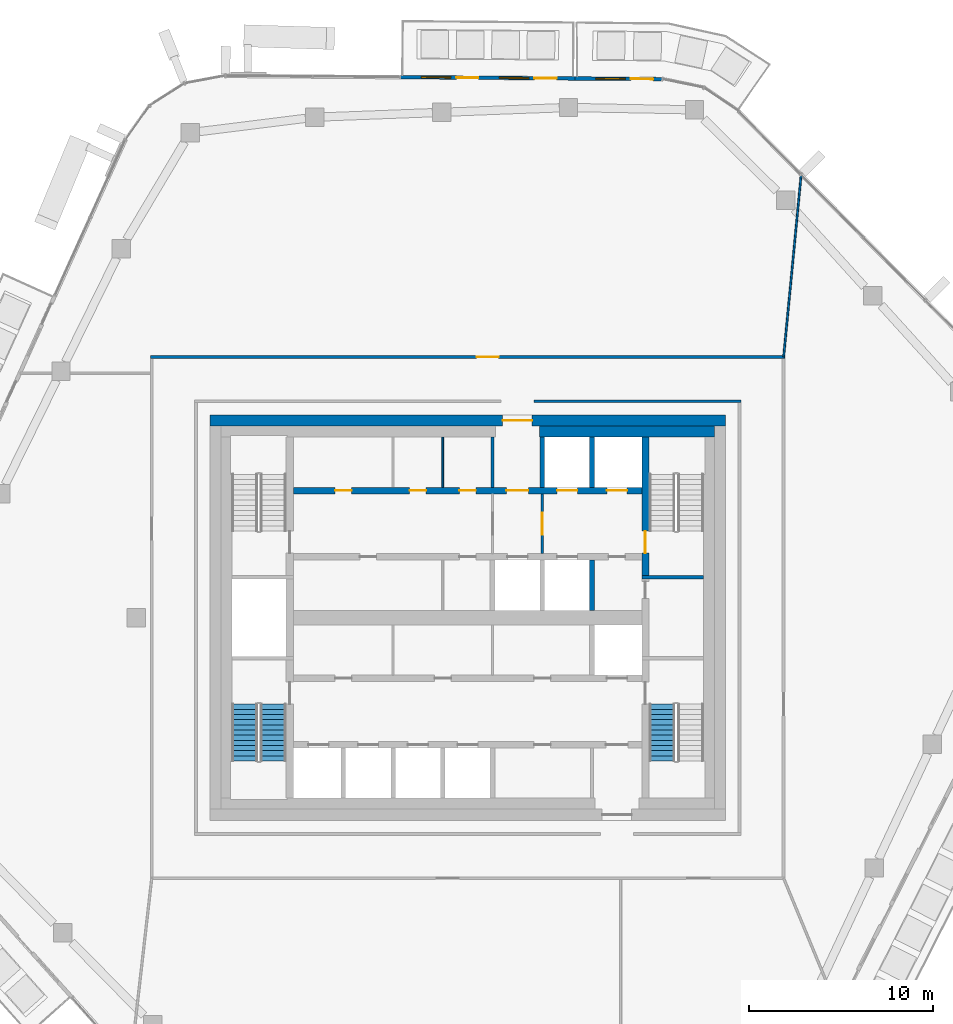
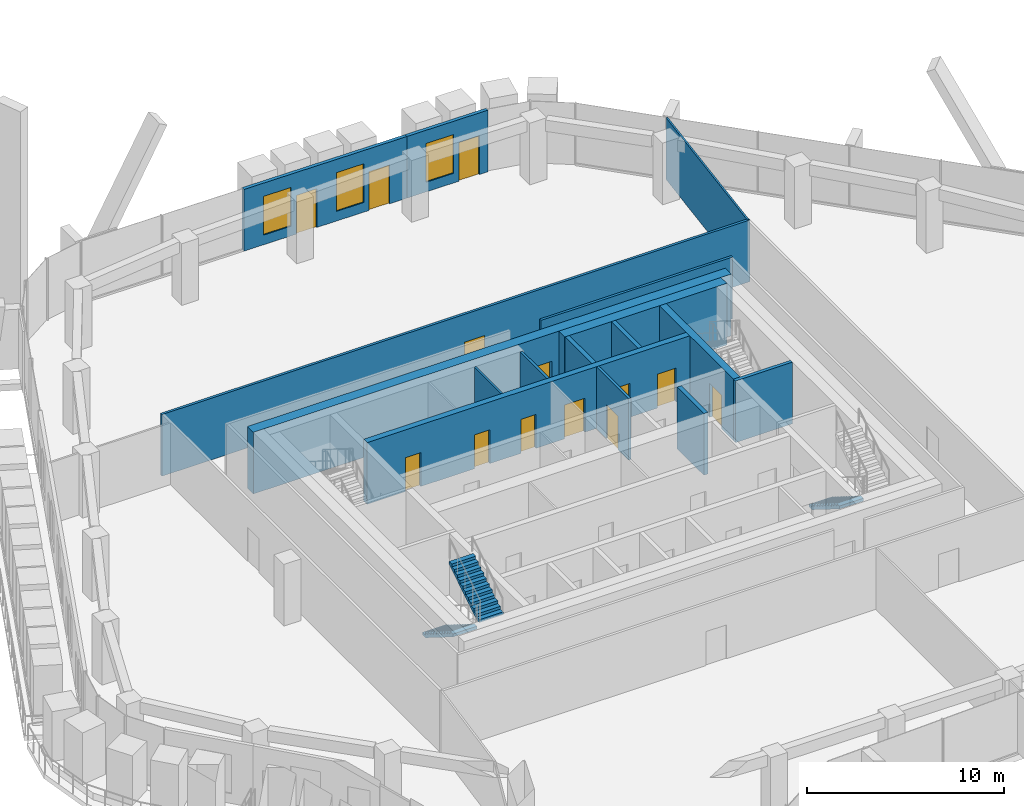
# One storey, part 15 of 23: 16 walls, 13 doors, 3 stair flights, 3 windows, 16 openings, 2 elements without a shape of their own.
"""IFC4 building model written with IfcOpenShell, lengths in metres."""

from ifc_helpers import new_model, si_unit, direction, frame, frame_2d, origin, place, context, subcontext, project, spatial, polyline, rectangle, outline, extrude, material, layer, layer_set, type_object, element, fill, aggregate, save


model = new_model("IFC4")

# Units and contexts
model_context = context("Model", 3, precision=1e-05, world=origin(), true_north=direction((0.0, 1.0)))
body_context = subcontext(model_context, "Body", "Model", "MODEL_VIEW")
ifc_project = project(units=[si_unit("LENGTHUNIT", "METRE"), si_unit("AREAUNIT", "SQUARE_METRE"), si_unit("VOLUMEUNIT", "CUBIC_METRE"), si_unit("PLANEANGLEUNIT", "RADIAN"), si_unit("MASSUNIT", "GRAM", prefix="KILO")], contexts=[model_context])

# Site, building, storey
site_placement = place(None, origin())
site = spatial("IfcSite", under=ifc_project, at=site_placement, CompositionType="ELEMENT")
building_placement = place(site_placement, origin())
building = spatial("IfcBuilding", under=site, at=building_placement, Name="Dongbaek Canopy Tower", CompositionType="ELEMENT")
storey_placement = place(building_placement, frame((0.0, 0.0, 319.39990234375)))
storey = spatial("IfcBuildingStorey", under=building, at=storey_placement, Name="L68", CompositionType="ELEMENT", Elevation=319.39990234375)

# Wall, openings, doors
ifc_material_1 = material(Name="Concrete C60/75", Category="concrete")
ifc_layer_1 = layer(ifc_material_1, 0.35009765625)
ifc_layer_set_1 = layer_set([ifc_layer_1], Name="Core lobby wall 350 Concrete C60/75")
wall_type_1 = type_object("IfcWallType", Name="Core lobby wall 350 Concrete C60/75", PredefinedType="SHEAR", material=ifc_layer_set_1)
wall_1_placement = place(storey_placement, frame((-9.449951171875, 6.89990234375, 0.0), z_axis=(0.0, 0.0, 1.0), x_axis=(1.0, 0.0, 0.0)))
wall_1 = element("IfcWall", 1, at=wall_1_placement, inside=storey, type_object=wall_type_1, Name="Core wall", PredefinedType="SHEAR", context=body_context, shape_type="SweptSolid", body=[
    extrude(rectangle(XDim=18.89990234375, YDim=0.35009765625, at=frame_2d((9.449951171875, 0.0))), origin(), (0.0, 0.0, 1.0), 3.820068359375),
])
opening_1_placement = place(wall_1_placement, frame((11.550048828125, 0.0, 0.0)))
opening_1 = element("IfcOpeningElement", 2, at=opening_1_placement, cuts=wall_1, Name="Opening L68-D008", PredefinedType="OPENING", context=body_context, shape_type="SweptSolid", body=[
    extrude(rectangle(XDim=1.199951171875, YDim=2.10009765625, at=frame_2d((0.60009765625, 1.050048828125))), frame((0.0, 0.18505859375, 0.0), z_axis=(0.0, -1.0, 0.0), x_axis=(1.0, 0.0, 0.0)), (0.0, 0.0, 1.0), 0.3701171875),
])
opening_2_placement = place(wall_1_placement, frame((14.300048828125, 0.0, 0.0)))
opening_2 = element("IfcOpeningElement", 3, at=opening_2_placement, cuts=wall_1, Name="Opening L68-D009", PredefinedType="OPENING", context=body_context, shape_type="SweptSolid", body=[
    extrude(rectangle(XDim=1.10009765625, YDim=2.10009765625, at=frame_2d((0.550048828125, 1.050048828125))), frame((0.0, 0.18505859375, 0.0), z_axis=(0.0, -1.0, 0.0), x_axis=(1.0, 0.0, 0.0)), (0.0, 0.0, 1.0), 0.3701171875),
])
opening_3_placement = place(wall_1_placement, frame((17.0, 0.0, 0.0)))
opening_3 = element("IfcOpeningElement", 4, at=opening_3_placement, cuts=wall_1, Name="Opening L68-D010", PredefinedType="OPENING", context=body_context, shape_type="SweptSolid", body=[
    extrude(rectangle(XDim=1.10009765625, YDim=2.10009765625, at=frame_2d((0.550048828125, 1.050048828125))), frame((0.0, 0.18505859375, 0.0), z_axis=(0.0, -1.0, 0.0), x_axis=(1.0, 0.0, 0.0)), (0.0, 0.0, 1.0), 0.3701171875),
])
opening_4_placement = place(wall_1_placement, frame((2.25, 0.0, 0.0)))
opening_4 = element("IfcOpeningElement", 5, at=opening_4_placement, cuts=wall_1, Name="Opening L68-D021", PredefinedType="OPENING", context=body_context, shape_type="SweptSolid", body=[
    extrude(rectangle(XDim=0.89990234375, YDim=2.10009765625, at=frame_2d((0.449951171875, 1.050048828125))), frame((0.0, 0.18505859375, 0.0), z_axis=(0.0, -1.0, 0.0), x_axis=(1.0, 0.0, 0.0)), (0.0, 0.0, 1.0), 0.3701171875),
])
opening_5_placement = place(wall_1_placement, frame((6.300048828125, 0.0, 0.0)))
opening_5 = element("IfcOpeningElement", 6, at=opening_5_placement, cuts=wall_1, Name="Opening L68-D022", PredefinedType="OPENING", context=body_context, shape_type="SweptSolid", body=[
    extrude(rectangle(XDim=0.89990234375, YDim=2.10009765625, at=frame_2d((0.449951171875, 1.050048828125))), frame((0.0, 0.18505859375, 0.0), z_axis=(0.0, -1.0, 0.0), x_axis=(1.0, 0.0, 0.0)), (0.0, 0.0, 1.0), 0.3701171875),
])
opening_6_placement = place(wall_1_placement, frame((9.0, 0.0, 0.0)))
opening_6 = element("IfcOpeningElement", 7, at=opening_6_placement, cuts=wall_1, Name="Opening L68-D023", PredefinedType="OPENING", context=body_context, shape_type="SweptSolid", body=[
    extrude(rectangle(XDim=0.89990234375, YDim=2.10009765625, at=frame_2d((0.449951171875, 1.050048828125))), frame((0.0, 0.18505859375, 0.0), z_axis=(0.0, -1.0, 0.0), x_axis=(1.0, 0.0, 0.0)), (0.0, 0.0, 1.0), 0.3701171875),
])
ifc_material_2 = material(Name="Steel", Category="steel")
door_type_1 = type_object("IfcDoorType", Name="Core room door 900 x 2100", OperationType="SINGLE_SWING_LEFT", PredefinedType="DOOR", material=ifc_material_2)
door_1_placement = place(opening_4_placement, origin())
door_1 = element("IfcDoor", 8, at=door_1_placement, inside=storey, type_object=door_type_1, Name="Door L68-D021", OperationType="SINGLE_SWING_RIGHT", OverallHeight=2.10009765625, OverallWidth=0.89990234375, PredefinedType="DOOR", context=body_context, shape_type="SweptSolid", body=[
    extrude(rectangle(XDim=0.89990234375, YDim=2.10009765625, at=frame_2d((0.449951171875, 1.050048828125))), frame((0.0, 0.02490234375, 0.0), z_axis=(0.0, -1.0, 0.0), x_axis=(1.0, 0.0, 0.0)), (0.0, 0.0, 1.0), 0.050048828125),
])
fill(opening_4, door_1)
door_2_placement = place(opening_5_placement, origin())
door_2 = element("IfcDoor", 9, at=door_2_placement, inside=storey, type_object=door_type_1, Name="Door L68-D022", OperationType="SINGLE_SWING_LEFT", OverallHeight=2.10009765625, OverallWidth=0.89990234375, PredefinedType="DOOR", context=body_context, shape_type="SweptSolid", body=[
    extrude(rectangle(XDim=0.89990234375, YDim=2.10009765625, at=frame_2d((0.449951171875, 1.050048828125))), frame((0.0, 0.02490234375, 0.0), z_axis=(0.0, -1.0, 0.0), x_axis=(1.0, 0.0, 0.0)), (0.0, 0.0, 1.0), 0.050048828125),
])
fill(opening_5, door_2)
door_3_placement = place(opening_6_placement, origin())
door_3 = element("IfcDoor", 10, at=door_3_placement, inside=storey, type_object=door_type_1, Name="Door L68-D023", OperationType="SINGLE_SWING_RIGHT", OverallHeight=2.10009765625, OverallWidth=0.89990234375, PredefinedType="DOOR", context=body_context, shape_type="SweptSolid", body=[
    extrude(rectangle(XDim=0.89990234375, YDim=2.10009765625, at=frame_2d((0.449951171875, 1.050048828125))), frame((0.0, 0.02490234375, 0.0), z_axis=(0.0, -1.0, 0.0), x_axis=(1.0, 0.0, 0.0)), (0.0, 0.0, 1.0), 0.050048828125),
])
fill(opening_6, door_3)
ifc_material_3 = material(Name="Steel", Category="steel")
door_type_2 = type_object("IfcDoorType", Name="Fire lobby door 1200 x 2100", OperationType="SINGLE_SWING_LEFT", PredefinedType="DOOR", material=ifc_material_3)
door_4_placement = place(opening_1_placement, origin())
door_4 = element("IfcDoor", 11, at=door_4_placement, inside=storey, type_object=door_type_2, Name="Door L68-D008", OperationType="SINGLE_SWING_LEFT", OverallHeight=2.10009765625, OverallWidth=1.199951171875, PredefinedType="DOOR", context=body_context, shape_type="SweptSolid", body=[
    extrude(rectangle(XDim=1.199951171875, YDim=2.10009765625, at=frame_2d((0.60009765625, 1.050048828125))), frame((0.0, 0.02490234375, 0.0), z_axis=(0.0, -1.0, 0.0), x_axis=(1.0, 0.0, 0.0)), (0.0, 0.0, 1.0), 0.050048828125),
])
fill(opening_1, door_4)
ifc_material_4 = material(Name="Stainless steel", Category="steel")
door_type_3 = type_object("IfcDoorType", Name="Lift landing door 1100 x 2100", OperationType="DOUBLE_DOOR_SLIDING", PredefinedType="DOOR", material=ifc_material_4)
door_5_placement = place(opening_2_placement, origin())
door_5 = element("IfcDoor", 12, at=door_5_placement, inside=storey, type_object=door_type_3, Name="Landing door FF1", OperationType="DOUBLE_DOOR_SLIDING", OverallHeight=2.10009765625, OverallWidth=1.10009765625, PredefinedType="DOOR", context=body_context, shape_type="SweptSolid", body=[
    extrude(rectangle(XDim=1.10009765625, YDim=2.10009765625, at=frame_2d((0.550048828125, 1.050048828125))), frame((0.0, 0.02490234375, 0.0), z_axis=(0.0, -1.0, 0.0), x_axis=(1.0, 0.0, 0.0)), (0.0, 0.0, 1.0), 0.050048828125),
])
fill(opening_2, door_5)
door_6_placement = place(opening_3_placement, origin())
door_6 = element("IfcDoor", 13, at=door_6_placement, inside=storey, type_object=door_type_3, Name="Landing door FF2", OperationType="DOUBLE_DOOR_SLIDING", OverallHeight=2.10009765625, OverallWidth=1.10009765625, PredefinedType="DOOR", context=body_context, shape_type="SweptSolid", body=[
    extrude(rectangle(XDim=1.10009765625, YDim=2.10009765625, at=frame_2d((0.550048828125, 1.050048828125))), frame((0.0, 0.02490234375, 0.0), z_axis=(0.0, -1.0, 0.0), x_axis=(1.0, 0.0, 0.0)), (0.0, 0.0, 1.0), 0.050048828125),
])
fill(opening_3, door_6)

# Wall, opening, door
ifc_material_5 = material(Name="Concrete C80/95", Category="concrete")
ifc_layer_2 = layer(ifc_material_5, 0.60009765625)
ifc_layer_set_2 = layer_set([ifc_layer_2], Name="Core outer wall 600 Concrete C80/95")
wall_type_2 = type_object("IfcWallType", Name="Core outer wall 600 Concrete C80/95", PredefinedType="SHEAR", material=ifc_layer_set_2)
wall_2_placement = place(storey_placement, frame((-14.0, 10.699951171875, 0.0), z_axis=(0.0, 0.0, 1.0), x_axis=(1.0, 0.0, 0.0)))
wall_2 = element("IfcWall", 14, at=wall_2_placement, inside=storey, type_object=wall_type_2, Name="Core wall", PredefinedType="SHEAR", context=body_context, shape_type="SweptSolid", body=[
    extrude(rectangle(XDim=28.0, YDim=0.60009765625, at=frame_2d((14.0, 0.0))), origin(), (0.0, 0.0, 1.0), 3.820068359375),
])
opening_7_placement = place(wall_2_placement, frame((15.89990234375, 0.0, 0.0)))
opening_7 = element("IfcOpeningElement", 15, at=opening_7_placement, cuts=wall_2, Name="Opening L68-D007", PredefinedType="OPENING", context=body_context, shape_type="SweptSolid", body=[
    extrude(rectangle(XDim=1.60009765625, YDim=2.10009765625, at=frame_2d((0.800048828125, 1.050048828125))), frame((0.0, 0.31005859375, 0.0), z_axis=(0.0, -1.0, 0.0), x_axis=(1.0, 0.0, 0.0)), (0.0, 0.0, 1.0), 0.6201171875),
])
ifc_material_6 = material(Name="Steel", Category="steel")
door_type_4 = type_object("IfcDoorType", Name="Core exit door 1600 x 2100", OperationType="DOUBLE_DOOR_SINGLE_SWING", PredefinedType="DOOR", material=ifc_material_6)
door_7_placement = place(opening_7_placement, origin())
door_7 = element("IfcDoor", 16, at=door_7_placement, inside=storey, type_object=door_type_4, Name="Core exit door", OperationType="DOUBLE_DOOR_SINGLE_SWING", OverallHeight=2.10009765625, OverallWidth=1.60009765625, PredefinedType="DOOR", context=body_context, shape_type="SweptSolid", body=[
    extrude(rectangle(XDim=1.60009765625, YDim=2.10009765625, at=frame_2d((0.800048828125, 1.050048828125))), frame((0.0, 0.02490234375, 0.0), z_axis=(0.0, -1.0, 0.0), x_axis=(1.0, 0.0, 0.0)), (0.0, 0.0, 1.0), 0.050048828125),
])
fill(opening_7, door_7)

# Walls
ifc_material_7 = material(Name="Concrete C60/75", Category="concrete")
ifc_layer_3 = layer(ifc_material_7, 0.60009765625)
ifc_layer_set_3 = layer_set([ifc_layer_3], Name="Core wall lining 600 Concrete C60/75")
wall_type_3 = type_object("IfcWallType", Name="Core wall lining 600 Concrete C60/75", PredefinedType="SHEAR", material=ifc_layer_set_3)
wall_3_placement = place(storey_placement, frame((3.89990234375, 10.10009765625, 0.0), z_axis=(0.0, 0.0, 1.0), x_axis=(1.0, 0.0, 0.0)))
element("IfcWall", 17, at=wall_3_placement, inside=storey, type_object=wall_type_3, Name="Core wall lining", PredefinedType="SHEAR", context=body_context, shape_type="SweptSolid", body=[
    extrude(rectangle(XDim=9.5, YDim=0.60009765625, at=frame_2d((4.75, 0.0))), origin(), (0.0, 0.0, 1.0), 3.820068359375),
])
ifc_material_8 = material(Name="Gypsum board partition, steel stud, 2 x 15 mm fire board", Category="steel")
ifc_layer_4 = layer(ifc_material_8, 0.14990234375)
ifc_layer_set_4 = layer_set([ifc_layer_4], Name="Fire-rated partition 150 gypsum board")
wall_type_4 = type_object("IfcWallType", Name="Fire-rated partition 150 gypsum board", PredefinedType="PARTITIONING", material=ifc_layer_set_4)
wall_4_placement = place(storey_placement, frame((3.60009765625, 11.75, 0.0), z_axis=(0.0, 0.0, 1.0), x_axis=(1.0, 0.0, 0.0)))
element("IfcWall", 18, at=wall_4_placement, inside=storey, type_object=wall_type_4, Name="Corridor partition", PredefinedType="PARTITIONING", context=body_context, shape_type="SweptSolid", body=[
    extrude(rectangle(XDim=11.224853515625, YDim=0.14990234375, at=frame_2d((5.6123046875, 0.0))), origin(), (0.0, 0.0, 1.0), 3.820068359375),
])

# Wall, opening, door
wall_5_placement = place(storey_placement, frame((-17.22509765625, 14.14990234375, 0.0), z_axis=(0.0, 0.0, 1.0), x_axis=(1.0, 0.0, 0.0)))
wall_5 = element("IfcWall", 19, at=wall_5_placement, inside=storey, type_object=wall_type_4, Name="Corridor partition", PredefinedType="PARTITIONING", context=body_context, shape_type="SweptSolid", body=[
    extrude(rectangle(XDim=34.4501953125, YDim=0.14990234375, at=frame_2d((17.22509765625, 0.0))), origin(), (0.0, 0.0, 1.0), 3.820068359375),
])
opening_8_placement = place(wall_5_placement, frame((17.706298828125, 0.0, 0.0)))
opening_8 = element("IfcOpeningElement", 20, at=opening_8_placement, cuts=wall_5, Name="Opening L68-D005", PredefinedType="OPENING", context=body_context, shape_type="SweptSolid", body=[
    extrude(rectangle(XDim=1.199951171875, YDim=2.10009765625, at=frame_2d((0.60009765625, 1.050048828125))), frame((0.0, 0.0849609375, 0.0), z_axis=(0.0, -1.0, 0.0), x_axis=(1.0, 0.0, 0.0)), (0.0, 0.0, 1.0), 0.169921875),
])
ifc_material_9 = material(Name="Timber veneered door leaf", Category="wood")
door_type_5 = type_object("IfcDoorType", Name="Room door 1200 x 2100", OperationType="SINGLE_SWING_LEFT", PredefinedType="DOOR", material=ifc_material_9)
door_8_placement = place(opening_8_placement, origin())
door_8 = element("IfcDoor", 21, at=door_8_placement, inside=storey, type_object=door_type_5, Name="Door L68-D005", OperationType="SINGLE_SWING_RIGHT", OverallHeight=2.10009765625, OverallWidth=1.199951171875, PredefinedType="DOOR", context=body_context, shape_type="SweptSolid", body=[
    extrude(rectangle(XDim=1.199951171875, YDim=2.10009765625, at=frame_2d((0.60009765625, 1.050048828125))), frame((0.0, 0.02490234375, 0.0), z_axis=(0.0, -1.0, 0.0), x_axis=(1.0, 0.0, 0.0)), (0.0, 0.0, 1.0), 0.050048828125),
])
fill(opening_8, door_8)

wall_6_placement = place(storey_placement, frame((4.050048828125, 6.72509765625, 0.0), z_axis=(0.0, 0.0, 1.0), x_axis=(0.0, -1.0, 0.0)))
wall_6 = element("IfcWall", 22, at=wall_6_placement, inside=storey, type_object=wall_type_4, Name="Fire lobby partition", PredefinedType="PARTITIONING", context=body_context, shape_type="SweptSolid", body=[
    extrude(rectangle(XDim=3.25, YDim=0.14990234375, at=frame_2d((1.625, 0.0))), origin(), (0.0, 0.0, 1.0), 3.820068359375),
])
opening_9_placement = place(wall_6_placement, frame((1.02490234375, 0.0, 0.0)))
opening_9 = element("IfcOpeningElement", 23, at=opening_9_placement, cuts=wall_6, Name="Opening L68-D035", PredefinedType="OPENING", context=body_context, shape_type="SweptSolid", body=[
    extrude(rectangle(XDim=1.199951171875, YDim=2.10009765625, at=frame_2d((0.60009765625, 1.050048828125))), frame((0.0, 0.0849609375, 0.0), z_axis=(0.0, -1.0, 0.0), x_axis=(1.0, 0.0, 0.0)), (0.0, 0.0, 1.0), 0.169921875),
])
door_9_placement = place(opening_9_placement, origin())
door_9 = element("IfcDoor", 24, at=door_9_placement, inside=storey, type_object=door_type_2, Name="Door L68-D035", OperationType="SINGLE_SWING_RIGHT", OverallHeight=2.10009765625, OverallWidth=1.199951171875, PredefinedType="DOOR", context=body_context, shape_type="SweptSolid", body=[
    extrude(rectangle(XDim=1.199951171875, YDim=2.10009765625, at=frame_2d((0.60009765625, 1.050048828125))), frame((0.0, 0.02490234375, 0.0), z_axis=(0.0, -1.0, 0.0), x_axis=(1.0, 0.0, 0.0)), (0.0, 0.0, 1.0), 0.050048828125),
])
fill(opening_9, door_9)

# Walls
wall_7_placement = place(storey_placement, frame((1.35009765625, 7.074951171875, 0.0), z_axis=(0.0, 0.0, 1.0), x_axis=(0.0, 1.0, 0.0)))
element("IfcWall", 25, at=wall_7_placement, inside=storey, type_object=wall_type_4, Name="Fire lobby partition", PredefinedType="PARTITIONING", context=body_context, shape_type="SweptSolid", body=[
    extrude(rectangle(XDim=2.72509765625, YDim=0.14990234375, at=frame_2d((1.362548828125, 0.0))), origin(), (0.0, 0.0, 1.0), 3.820068359375),
])
ifc_material_10 = material(Name="Concrete C40/50", Category="concrete")
ifc_layer_5 = layer(ifc_material_10, 0.25)
ifc_layer_set_5 = layer_set([ifc_layer_5], Name="Lift shaft wall 250 Concrete C40/50")
wall_type_5 = type_object("IfcWallType", Name="Lift shaft wall 250 Concrete C40/50", PredefinedType="SOLIDWALL", material=ifc_layer_set_5)
for number, where, z_axis, x_axis, name in (
    (26, (6.75, 0.39990234375, 0.0), (0.0, 0.0, 1.0), (0.0, 1.0, 0.0), "Lift shaft wall"),
    (27, (6.75, 7.074951171875, 0.0), (0.0, 0.0, 1.0), (0.0, 1.0, 0.0), "Lift shaft wall"),
    (28, (4.050048828125, 7.074951171875, 0.0), (0.0, 0.0, 1.0), (0.0, 1.0, 0.0), "Lift shaft wall"),
):
    element("IfcWall", number, at=place(storey_placement, frame(where, z_axis=z_axis, x_axis=x_axis)), inside=storey, type_object=wall_type_5, Name=name, PredefinedType="SOLIDWALL", context=body_context, shape_type="SweptSolid", body=[
        extrude(rectangle(XDim=2.72509765625, YDim=0.25, at=frame_2d((1.362548828125, 0.0))), origin(), (0.0, 0.0, 1.0), 3.820068359375),
    ])
ifc_material_11 = material(Name="Gypsum board partition, steel stud, 2 x 12.5 mm board", Category="steel")
ifc_layer_6 = layer(ifc_material_11, 0.10009765625)
ifc_layer_set_6 = layer_set([ifc_layer_6], Name="Partition 100 gypsum board")
wall_type_6 = type_object("IfcWallType", Name="Partition 100 gypsum board", PredefinedType="PARTITIONING", material=ifc_layer_set_6)
wall_8_placement = place(storey_placement, frame((17.150390625, 14.14990234375, 0.0), z_axis=(0.0, 0.0, 1.0), x_axis=(0.095686172631, 0.995411551253, 0.0)))
element("IfcWall", 29, at=wall_8_placement, inside=storey, type_object=wall_type_6, Name="Partition", PredefinedType="PARTITIONING", context=body_context, shape_type="SweptSolid", body=[
    extrude(rectangle(XDim=9.930419921875, YDim=0.10009765625, at=frame_2d((4.96533203125, 0.0))), origin(), (0.0, 0.0, 1.0), 3.820068359375),
])
wall_9_placement = place(storey_placement, frame((-1.35009765625, 7.074951171875, 0.0), z_axis=(0.0, 0.0, 1.0), x_axis=(0.0, 1.0, 0.0)))
element("IfcWall", 30, at=wall_9_placement, inside=storey, type_object=wall_type_6, Name="Core partition", PredefinedType="PARTITIONING", context=body_context, shape_type="SweptSolid", body=[
    extrude(rectangle(XDim=2.72509765625, YDim=0.10009765625, at=frame_2d((1.362548828125, 0.0))), origin(), (0.0, 0.0, 1.0), 3.820068359375),
])
ifc_material_12 = material(Name="Concrete C60/75", Category="concrete")
ifc_layer_7 = layer(ifc_material_12, 0.199951171875)
ifc_layer_set_7 = layer_set([ifc_layer_7], Name="Riser wall 200 Concrete C60/75")
wall_type_7 = type_object("IfcWallType", Name="Riser wall 200 Concrete C60/75", PredefinedType="SHEAR", material=ifc_layer_set_7)
wall_10_placement = place(storey_placement, frame((9.449951171875, 2.199951171875, 0.0), z_axis=(0.0, 0.0, 1.0), x_axis=(1.0, 0.0, 0.0)))
element("IfcWall", 31, at=wall_10_placement, inside=storey, type_object=wall_type_7, Name="Riser wall", PredefinedType="SHEAR", context=body_context, shape_type="SweptSolid", body=[
    extrude(rectangle(XDim=3.35009765625, YDim=0.199951171875, at=frame_2d((1.675048828125, 0.0))), origin(), (0.0, 0.0, 1.0), 3.820068359375),
])

# Wall, opening, door
ifc_material_13 = material(Name="Concrete C60/75", Category="concrete")
ifc_layer_8 = layer(ifc_material_13, 0.39990234375)
ifc_layer_set_8 = layer_set([ifc_layer_8], Name="Stair wall 400 Concrete C60/75")
wall_type_8 = type_object("IfcWallType", Name="Stair wall 400 Concrete C60/75", PredefinedType="SHEAR", material=ifc_layer_set_8)
wall_11_placement = place(storey_placement, frame((9.64990234375, 9.800048828125, 0.0), z_axis=(0.0, 0.0, 1.0), x_axis=(0.0, -1.0, 0.0)))
wall_11 = element("IfcWall", 32, at=wall_11_placement, inside=storey, type_object=wall_type_8, Name="Stair wall", PredefinedType="SHEAR", context=body_context, shape_type="SweptSolid", body=[
    extrude(rectangle(XDim=7.5, YDim=0.39990234375, at=frame_2d((3.75, 0.0))), origin(), (0.0, 0.0, 1.0), 3.820068359375),
])
opening_10_placement = place(wall_11_placement, frame((5.10009765625, 0.0, 0.0)))
opening_10 = element("IfcOpeningElement", 33, at=opening_10_placement, cuts=wall_11, Name="Opening L68-D030", PredefinedType="OPENING", context=body_context, shape_type="SweptSolid", body=[
    extrude(rectangle(XDim=1.199951171875, YDim=2.10009765625, at=frame_2d((0.60009765625, 1.050048828125))), frame((0.0, 0.2099609375, 0.0), z_axis=(0.0, -1.0, 0.0), x_axis=(1.0, 0.0, 0.0)), (0.0, 0.0, 1.0), 0.419921875),
])
ifc_material_14 = material(Name="Steel", Category="steel")
door_type_6 = type_object("IfcDoorType", Name="Stair door 1200 x 2100", OperationType="SINGLE_SWING_LEFT", PredefinedType="DOOR", material=ifc_material_14)
door_10_placement = place(opening_10_placement, origin())
door_10 = element("IfcDoor", 34, at=door_10_placement, inside=storey, type_object=door_type_6, Name="Stair A door", OperationType="SINGLE_SWING_LEFT", OverallHeight=2.10009765625, OverallWidth=1.199951171875, PredefinedType="DOOR", context=body_context, shape_type="SweptSolid", body=[
    extrude(rectangle(XDim=1.199951171875, YDim=2.10009765625, at=frame_2d((0.60009765625, 1.050048828125))), frame((0.0, 0.02490234375, 0.0), z_axis=(0.0, -1.0, 0.0), x_axis=(1.0, 0.0, 0.0)), (0.0, 0.0, 1.0), 0.050048828125),
])
fill(opening_10, door_10)

# Wall, openings, doors, windows
ifc_material_15 = material(Name="Aluminium window wall", Category="aluminium")
ifc_layer_9 = layer(ifc_material_15, 0.199951171875)
ifc_layer_set_9 = layer_set([ifc_layer_9], Name="Window wall 200")
wall_type_9 = type_object("IfcWallType", Name="Window wall 200", PredefinedType="SOLIDWALL", material=ifc_layer_set_9)
wall_12_placement = place(storey_placement, frame((5.82666015625, 29.267333984375, 0.0), z_axis=(0.0, 0.0, 1.0), x_axis=(-0.999969823552, 0.007768653994, 0.0)))
wall_12 = element("IfcWall", 35, at=wall_12_placement, inside=storey, type_object=wall_type_9, Name="Window wall L68 1", PredefinedType="SOLIDWALL", context=body_context, shape_type="SweptSolid", body=[
    extrude(rectangle(XDim=9.49072265625, YDim=0.199951171875, at=frame_2d((4.745361328125, 0.0))), origin(), (0.0, 0.0, 1.0), 3.820068359375),
])
opening_11_placement = place(wall_12_placement, frame((2.5, 0.0, 0.60009765625)))
opening_11 = element("IfcOpeningElement", 36, at=opening_11_placement, cuts=wall_12, Name="Opening W1", PredefinedType="OPENING", context=body_context, shape_type="SweptSolid", body=[
    extrude(rectangle(XDim=1.60009765625, YDim=2.39990234375, at=frame_2d((0.800048828125, 1.199951171875))), frame((0.0, 0.10986328125, 0.0), z_axis=(0.0, -1.0, 0.0), x_axis=(1.0, 0.0, 0.0)), (0.0, 0.0, 1.0), 0.219970703125),
])
opening_12_placement = place(wall_12_placement, frame((1.0, 0.0, 0.0)))
opening_12 = element("IfcOpeningElement", 37, at=opening_12_placement, cuts=wall_12, Name="Opening L68-B01", PredefinedType="OPENING", context=body_context, shape_type="SweptSolid", body=[
    extrude(rectangle(XDim=1.199951171875, YDim=2.39990234375, at=frame_2d((0.60009765625, 1.199951171875))), frame((0.0, 0.10986328125, 0.0), z_axis=(0.0, -1.0, 0.0), x_axis=(1.0, 0.0, 0.0)), (0.0, 0.0, 1.0), 0.219970703125),
])
opening_13_placement = place(wall_12_placement, frame((6.745361328125, 0.0, 0.60009765625)))
opening_13 = element("IfcOpeningElement", 38, at=opening_13_placement, cuts=wall_12, Name="Opening W1", PredefinedType="OPENING", context=body_context, shape_type="SweptSolid", body=[
    extrude(rectangle(XDim=1.60009765625, YDim=2.39990234375, at=frame_2d((0.800048828125, 1.199951171875))), frame((0.0, 0.10986328125, 0.0), z_axis=(0.0, -1.0, 0.0), x_axis=(1.0, 0.0, 0.0)), (0.0, 0.0, 1.0), 0.219970703125),
])
opening_14_placement = place(wall_12_placement, frame((5.245361328125, 0.0, 0.0)))
opening_14 = element("IfcOpeningElement", 39, at=opening_14_placement, cuts=wall_12, Name="Opening L68-B02", PredefinedType="OPENING", context=body_context, shape_type="SweptSolid", body=[
    extrude(rectangle(XDim=1.199951171875, YDim=2.39990234375, at=frame_2d((0.60009765625, 1.199951171875))), frame((0.0, 0.10986328125, 0.0), z_axis=(0.0, -1.0, 0.0), x_axis=(1.0, 0.0, 0.0)), (0.0, 0.0, 1.0), 0.219970703125),
])
ifc_material_16 = material(Name="Clear glazing in aluminium frame", Category="aluminium")
door_type_7 = type_object("IfcDoorType", Name="Balcony door BD1 1200 x 2400", OperationType="SLIDING_TO_LEFT", PredefinedType="DOOR", material=ifc_material_16)
door_11_placement = place(opening_12_placement, origin())
door_11 = element("IfcDoor", 40, at=door_11_placement, inside=storey, type_object=door_type_7, Name="Balcony door L68-B01", OperationType="SLIDING_TO_LEFT", OverallHeight=2.39990234375, OverallWidth=1.199951171875, PredefinedType="DOOR", context=body_context, shape_type="SweptSolid", body=[
    extrude(rectangle(XDim=1.199951171875, YDim=2.39990234375, at=frame_2d((0.60009765625, 1.199951171875))), frame((0.0, 0.02490234375, 0.0), z_axis=(0.0, -1.0, 0.0), x_axis=(1.0, 0.0, 0.0)), (0.0, 0.0, 1.0), 0.050048828125),
])
fill(opening_12, door_11)
door_12_placement = place(opening_14_placement, origin())
door_12 = element("IfcDoor", 41, at=door_12_placement, inside=storey, type_object=door_type_7, Name="Balcony door L68-B02", OperationType="SLIDING_TO_LEFT", OverallHeight=2.39990234375, OverallWidth=1.199951171875, PredefinedType="DOOR", context=body_context, shape_type="SweptSolid", body=[
    extrude(rectangle(XDim=1.199951171875, YDim=2.39990234375, at=frame_2d((0.60009765625, 1.199951171875))), frame((0.0, 0.02490234375, 0.0), z_axis=(0.0, -1.0, 0.0), x_axis=(1.0, 0.0, 0.0)), (0.0, 0.0, 1.0), 0.050048828125),
])
fill(opening_14, door_12)
ifc_material_17 = material(Name="Clear glazing in aluminium frame", Category="aluminium")
window_type = type_object("IfcWindowType", Name="Window W1 1600 x 2400", PartitioningType="SINGLE_PANEL", PredefinedType="WINDOW", material=ifc_material_17)
window_1_placement = place(opening_11_placement, origin())
window_1 = element("IfcWindow", 42, at=window_1_placement, inside=storey, type_object=window_type, Name="Window L68 1.1", OverallHeight=2.39990234375, OverallWidth=1.60009765625, PartitioningType="SINGLE_PANEL", PredefinedType="WINDOW", context=body_context, shape_type="SweptSolid", body=[
    extrude(rectangle(XDim=1.60009765625, YDim=2.39990234375, at=frame_2d((0.800048828125, 1.199951171875))), frame((0.0, 0.030029296875, 0.0), z_axis=(0.0, -1.0, 0.0), x_axis=(1.0, 0.0, 0.0)), (0.0, 0.0, 1.0), 0.06005859375),
])
fill(opening_11, window_1)
window_2_placement = place(opening_13_placement, origin())
window_2 = element("IfcWindow", 43, at=window_2_placement, inside=storey, type_object=window_type, Name="Window L68 1.2", OverallHeight=2.39990234375, OverallWidth=1.60009765625, PartitioningType="SINGLE_PANEL", PredefinedType="WINDOW", context=body_context, shape_type="SweptSolid", body=[
    extrude(rectangle(XDim=1.60009765625, YDim=2.39990234375, at=frame_2d((0.800048828125, 1.199951171875))), frame((0.0, 0.030029296875, 0.0), z_axis=(0.0, -1.0, 0.0), x_axis=(1.0, 0.0, 0.0)), (0.0, 0.0, 1.0), 0.06005859375),
])
fill(opening_13, window_2)

# Wall, openings, door, window
wall_13_placement = place(storey_placement, frame((10.56201171875, 29.23046875, 0.0), z_axis=(0.0, 0.0, 1.0), x_axis=(-0.999969697406, 0.007784874423, 0.0)))
wall_13 = element("IfcWall", 44, at=wall_13_placement, inside=storey, type_object=wall_type_9, Name="Window wall L68 5", PredefinedType="SOLIDWALL", context=body_context, shape_type="SweptSolid", body=[
    extrude(rectangle(XDim=4.735595703125, YDim=0.199951171875, at=frame_2d((2.36767578125, 0.0))), origin(), (0.0, 0.0, 1.0), 3.820068359375),
])
opening_15_placement = place(wall_13_placement, frame((2.0, 0.0, 0.60009765625)))
opening_15 = element("IfcOpeningElement", 45, at=opening_15_placement, cuts=wall_13, Name="Opening W1", PredefinedType="OPENING", context=body_context, shape_type="SweptSolid", body=[
    extrude(rectangle(XDim=1.60009765625, YDim=2.39990234375, at=frame_2d((0.800048828125, 1.199951171875))), frame((0.0, 0.10986328125, 0.0), z_axis=(0.0, -1.0, 0.0), x_axis=(1.0, 0.0, 0.0)), (0.0, 0.0, 1.0), 0.219970703125),
])
opening_16_placement = place(wall_13_placement, frame((0.5, 0.0, 0.0)))
opening_16 = element("IfcOpeningElement", 46, at=opening_16_placement, cuts=wall_13, Name="Opening L68-B03", PredefinedType="OPENING", context=body_context, shape_type="SweptSolid", body=[
    extrude(rectangle(XDim=1.199951171875, YDim=2.39990234375, at=frame_2d((0.60009765625, 1.199951171875))), frame((0.0, 0.10986328125, 0.0), z_axis=(0.0, -1.0, 0.0), x_axis=(1.0, 0.0, 0.0)), (0.0, 0.0, 1.0), 0.219970703125),
])
door_13_placement = place(opening_16_placement, origin())
door_13 = element("IfcDoor", 47, at=door_13_placement, inside=storey, type_object=door_type_7, Name="Balcony door L68-B03", OperationType="SLIDING_TO_LEFT", OverallHeight=2.39990234375, OverallWidth=1.199951171875, PredefinedType="DOOR", context=body_context, shape_type="SweptSolid", body=[
    extrude(rectangle(XDim=1.199951171875, YDim=2.39990234375, at=frame_2d((0.60009765625, 1.199951171875))), frame((0.0, 0.02490234375, 0.0), z_axis=(0.0, -1.0, 0.0), x_axis=(1.0, 0.0, 0.0)), (0.0, 0.0, 1.0), 0.050048828125),
])
fill(opening_16, door_13)
window_3_placement = place(opening_15_placement, origin())
window_3 = element("IfcWindow", 48, at=window_3_placement, inside=storey, type_object=window_type, Name="Window L68 5.1", OverallHeight=2.39990234375, OverallWidth=1.60009765625, PartitioningType="SINGLE_PANEL", PredefinedType="WINDOW", context=body_context, shape_type="SweptSolid", body=[
    extrude(rectangle(XDim=1.60009765625, YDim=2.39990234375, at=frame_2d((0.800048828125, 1.199951171875))), frame((0.0, 0.030029296875, 0.0), z_axis=(0.0, -1.0, 0.0), x_axis=(1.0, 0.0, 0.0)), (0.0, 0.0, 1.0), 0.06005859375),
])
fill(opening_15, window_3)

# Stair, stair flight
ifc_material_18 = material(Name="Concrete C40/50", Category="concrete")
stair_type = type_object("IfcStairType", Name="Core exit stair", PredefinedType="HALF_TURN_STAIR", material=ifc_material_18)
stair_1_placement = place(storey_placement, origin())
stair_1 = element("IfcStair", 49, at=stair_1_placement, inside=storey, type_object=stair_type, Name="L68 exit stair B", PredefinedType="HALF_TURN_STAIR")
ifc_material_19 = material(Name="Concrete C40/50", Category="concrete")
ifc_layer_10 = layer(ifc_material_19, 0.14990234375)
ifc_layer_set_10 = layer_set([ifc_layer_10], Name="Core stair flight 150 waist")
stair_flight_type = type_object("IfcStairFlightType", Name="Core stair flight 150 waist", PredefinedType="STRAIGHT", material=ifc_layer_set_10)
stair_flight_1_placement = place(storey_placement, frame((10.550048828125, -4.699951171875, 0.0), z_axis=(0.0, 0.0, 1.0), x_axis=(0.0, -1.0, 0.0)))
stair_flight_1 = element("IfcStairFlight", 50, at=stair_flight_1_placement, type_object=stair_flight_type, Name="ST-B flight 1", NumberOfRisers=12, NumberOfTreads=11, PredefinedType="STRAIGHT", RiserHeight=0.175, TreadLength=0.28, context=body_context, shape_type="SweptSolid", body=[
    extrude(outline(polyline([(0.0, 0.0), (0.0, 0.175048828125), (0.280029296875, 0.175048828125), (0.280029296875, 0.35009765625), (0.56005859375, 0.35009765625), (0.56005859375, 0.52490234375), (0.840087890625, 0.52490234375), (0.840087890625, 0.699951171875), (1.1201171875, 0.699951171875), (1.1201171875, 0.875), (1.39990234375, 0.875), (1.39990234375, 1.050048828125), (1.679931640625, 1.050048828125), (1.679931640625, 1.22509765625), (1.9599609375, 1.22509765625), (1.9599609375, 1.39990234375), (2.239990234375, 1.39990234375), (2.239990234375, 1.574951171875), (2.52001953125, 1.574951171875), (2.52001953125, 1.75), (2.800048828125, 1.75), (2.800048828125, 1.925048828125), (3.080078125, 1.925048828125), (3.080078125, 2.10009765625), (3.080078125, 1.748291015625), (0.28271484375, 0.0), (0.0, 0.0)])), frame((0.0, 0.699951171875, 0.0), z_axis=(0.0, -1.0, 0.0), x_axis=(1.0, 0.0, 0.0)), (0.0, 0.0, 1.0), 1.39990234375),
])
aggregate(stair_1, [stair_flight_1])

# Stair, stair flights
stair_2_placement = place(storey_placement, origin())
stair_2 = element("IfcStair", 51, at=stair_2_placement, inside=storey, type_object=stair_type, Name="L68 exit stair D", PredefinedType="HALF_TURN_STAIR")
stair_flight_2_placement = place(storey_placement, frame((-12.10009765625, -4.699951171875, 0.0), z_axis=(0.0, 0.0, 1.0), x_axis=(0.0, -1.0, 0.0)))
stair_flight_2 = element("IfcStairFlight", 52, at=stair_flight_2_placement, type_object=stair_flight_type, Name="ST-D flight 1", NumberOfRisers=12, NumberOfTreads=11, PredefinedType="STRAIGHT", RiserHeight=0.175, TreadLength=0.28, context=body_context, shape_type="SweptSolid", body=[
    extrude(outline(polyline([(0.0, 0.0), (0.0, 0.175048828125), (0.280029296875, 0.175048828125), (0.280029296875, 0.35009765625), (0.56005859375, 0.35009765625), (0.56005859375, 0.52490234375), (0.840087890625, 0.52490234375), (0.840087890625, 0.699951171875), (1.1201171875, 0.699951171875), (1.1201171875, 0.875), (1.39990234375, 0.875), (1.39990234375, 1.050048828125), (1.679931640625, 1.050048828125), (1.679931640625, 1.22509765625), (1.9599609375, 1.22509765625), (1.9599609375, 1.39990234375), (2.239990234375, 1.39990234375), (2.239990234375, 1.574951171875), (2.52001953125, 1.574951171875), (2.52001953125, 1.75), (2.800048828125, 1.75), (2.800048828125, 1.925048828125), (3.080078125, 1.925048828125), (3.080078125, 2.10009765625), (3.080078125, 1.748291015625), (0.28271484375, 0.0), (0.0, 0.0)])), frame((0.0, 0.699951171875, 0.0), z_axis=(0.0, -1.0, 0.0), x_axis=(1.0, 0.0, 0.0)), (0.0, 0.0, 1.0), 1.39990234375),
])
stair_flight_3_placement = place(storey_placement, frame((-10.550048828125, -7.780029296875, 2.10009765625), z_axis=(0.0, 0.0, 1.0), x_axis=(0.0, 1.0, 0.0)))
stair_flight_3 = element("IfcStairFlight", 53, at=stair_flight_3_placement, type_object=stair_flight_type, Name="ST-D flight 2", NumberOfRisers=12, NumberOfTreads=11, PredefinedType="STRAIGHT", RiserHeight=0.175, TreadLength=0.28, context=body_context, shape_type="SweptSolid", body=[
    extrude(outline(polyline([(0.0, 0.0), (0.0, 0.175048828125), (0.280029296875, 0.175048828125), (0.280029296875, 0.35009765625), (0.56005859375, 0.35009765625), (0.56005859375, 0.52490234375), (0.840087890625, 0.52490234375), (0.840087890625, 0.699951171875), (1.1201171875, 0.699951171875), (1.1201171875, 0.875), (1.39990234375, 0.875), (1.39990234375, 1.050048828125), (1.679931640625, 1.050048828125), (1.679931640625, 1.22509765625), (1.9599609375, 1.22509765625), (1.9599609375, 1.39990234375), (2.239990234375, 1.39990234375), (2.239990234375, 1.574951171875), (2.52001953125, 1.574951171875), (2.52001953125, 1.75), (2.800048828125, 1.75), (2.800048828125, 1.925048828125), (3.080078125, 1.925048828125), (3.080078125, 2.10009765625), (3.080078125, 1.748291015625), (0.28271484375, 0.0), (0.0, 0.0)])), frame((0.0, 0.699951171875, 0.0), z_axis=(0.0, -1.0, 0.0), x_axis=(1.0, 0.0, 0.0)), (0.0, 0.0, 1.0), 1.39990234375),
])
aggregate(stair_2, [stair_flight_2, stair_flight_3])

save(model, "model.ifc")
